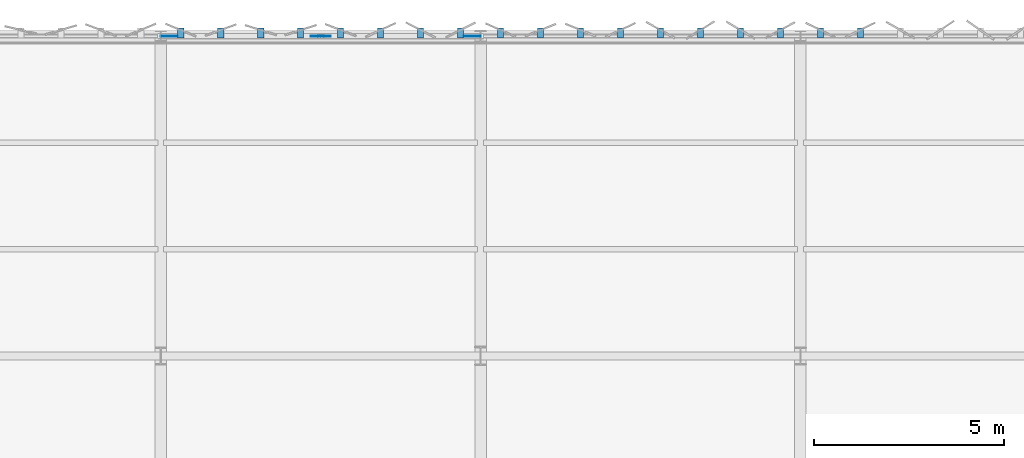
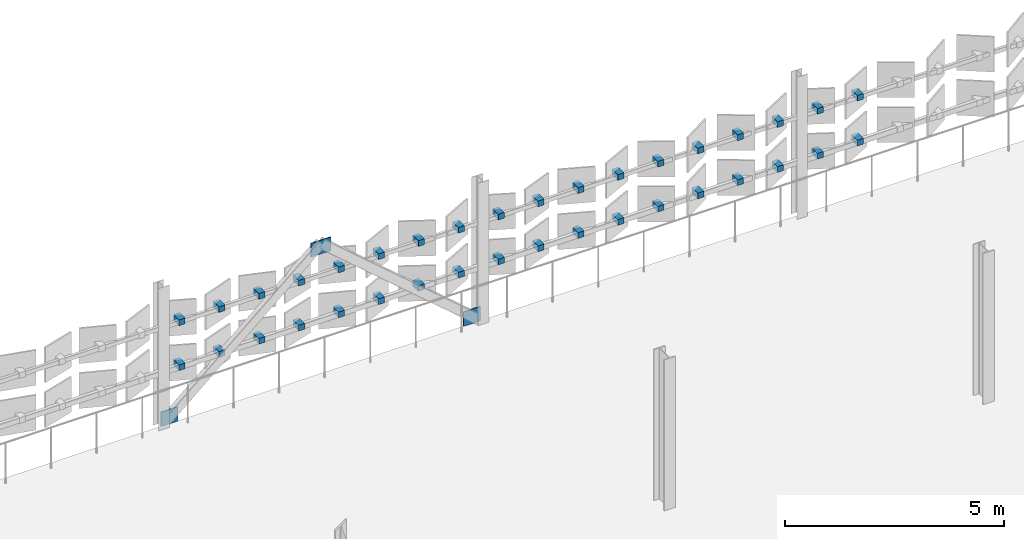
# One storey, part 60 of 69: 39 discrete accessories.
"""IFC4 building model written with IfcOpenShell, lengths in metres."""

from ifc_helpers import new_model, si_unit, direction, frame, origin, origin_2d, place, context, subcontext, project, spatial, rectangle, extrude, material, type_object, element, save


model = new_model("IFC4")

# Units and contexts
model_context = context("Model", 3, precision=1e-05, world=origin(), true_north=direction((0.0, 1.0)))
body_context = subcontext(model_context, "Body", "Model", "MODEL_VIEW")
ifc_project = project(units=[si_unit("LENGTHUNIT", "METRE"), si_unit("AREAUNIT", "SQUARE_METRE"), si_unit("VOLUMEUNIT", "CUBIC_METRE"), si_unit("PLANEANGLEUNIT", "RADIAN"), si_unit("MASSUNIT", "GRAM", prefix="KILO")], contexts=[model_context])

# Site, building, storey
site_placement = place(None, origin())
site = spatial("IfcSite", under=ifc_project, at=site_placement, CompositionType="ELEMENT")
building_placement = place(site_placement, origin())
building = spatial("IfcBuilding", under=site, at=building_placement, Name="Qalvenar Corner Mobility Hub", CompositionType="ELEMENT")
storey_placement = place(building_placement, frame((0.0, 0.0, 13.199951171875)))
storey = spatial("IfcBuildingStorey", under=building, at=storey_placement, Name="L03", CompositionType="ELEMENT", Elevation=13.199951171875)

# Discrete accessories
ifc_material = material(Name="Steel S355", Category="steel")
discrete_accessory_type_1 = type_object("IfcDiscreteAccessoryType", Name="ACC-GUSSET-PLT", PredefinedType="BRACKET", material=ifc_material)
discrete_accessory_placement = place(storey_placement, frame((113.39990234375, 117.60009765625, 3.330078125), z_axis=(0.0, 0.0, 1.0), x_axis=(1.0, 0.0, 0.0)))
element("IfcDiscreteAccessory", 1, at=discrete_accessory_placement, inside=storey, type_object=discrete_accessory_type_1, Name="Chevron Apex Gusset Plate GP-A-052", PredefinedType="BRACKET", context=body_context, shape_type="SweptSolid", body=[
    extrude(rectangle(XDim=0.52001953125, YDim=0.02490234375, at=origin_2d()), origin(), (0.0, 0.0, 1.0), 0.3798828125),
])
for number, where, z_axis, x_axis, name in (
    (2, (109.419921875, 117.60009765625, 0.0), (0.0, 0.0, 1.0), (1.0, 0.0, 0.0), "Brace Base Gusset Plate GP-B-053"),
    (3, (117.3798828125, 117.60009765625, 0.0), (0.0, 0.0, 1.0), (1.0, 0.0, 0.0), "Brace Base Gusset Plate GP-B-054"),
):
    element("IfcDiscreteAccessory", number, at=place(storey_placement, frame(where, z_axis=z_axis, x_axis=x_axis)), inside=storey, type_object=discrete_accessory_type_1, Name=name, PredefinedType="BRACKET", context=body_context, shape_type="SweptSolid", body=[
        extrude(rectangle(XDim=0.449951171875, YDim=0.02490234375, at=origin_2d()), origin(), (0.0, 0.0, 1.0), 0.39990234375),
    ])
discrete_accessory_type_2 = type_object("IfcDiscreteAccessoryType", Name="ACC-HINGE-BRK", PredefinedType="BRACKET", material=ifc_material)
for number, where, z_axis, x_axis, name in (
    (4, (127.574951171875, 117.679931640625, 1.419921875), (0.0, 0.0, 1.0), (-1.0, 0.0, 0.0), "Panel Hinge Bracket BK-L03-0861"),
    (5, (127.574951171875, 117.679931640625, 2.669921875), (0.0, 0.0, 1.0), (-1.0, 0.0, 0.0), "Panel Hinge Bracket BK-L03-0862"),
    (6, (126.52490234375, 117.679931640625, 1.419921875), (0.0, 0.0, 1.0), (-1.0, 0.0, 0.0), "Panel Hinge Bracket BK-L03-0863"),
    (7, (126.52490234375, 117.679931640625, 2.669921875), (0.0, 0.0, 1.0), (-1.0, 0.0, 0.0), "Panel Hinge Bracket BK-L03-0864"),
    (8, (125.47509765625, 117.679931640625, 1.419921875), (0.0, 0.0, 1.0), (-1.0, 0.0, 0.0), "Panel Hinge Bracket BK-L03-0865"),
    (9, (125.47509765625, 117.679931640625, 2.669921875), (0.0, 0.0, 1.0), (-1.0, 0.0, 0.0), "Panel Hinge Bracket BK-L03-0866"),
    (10, (124.425048828125, 117.679931640625, 1.419921875), (0.0, 0.0, 1.0), (-1.0, 0.0, 0.0), "Panel Hinge Bracket BK-L03-0867"),
    (11, (124.425048828125, 117.679931640625, 2.669921875), (0.0, 0.0, 1.0), (-1.0, 0.0, 0.0), "Panel Hinge Bracket BK-L03-0868"),
    (12, (123.375, 117.679931640625, 1.419921875), (0.0, 0.0, 1.0), (-1.0, 0.0, 0.0), "Panel Hinge Bracket BK-L03-0869"),
    (13, (123.375, 117.679931640625, 2.669921875), (0.0, 0.0, 1.0), (-1.0, 0.0, 0.0), "Panel Hinge Bracket BK-L03-0870"),
    (14, (122.324951171875, 117.679931640625, 1.419921875), (0.0, 0.0, 1.0), (-1.0, 0.0, 0.0), "Panel Hinge Bracket BK-L03-0871"),
    (15, (122.324951171875, 117.679931640625, 2.669921875), (0.0, 0.0, 1.0), (-1.0, 0.0, 0.0), "Panel Hinge Bracket BK-L03-0872"),
    (16, (121.27490234375, 117.679931640625, 1.419921875), (0.0, 0.0, 1.0), (-1.0, 0.0, 0.0), "Panel Hinge Bracket BK-L03-0873"),
    (17, (121.27490234375, 117.679931640625, 2.669921875), (0.0, 0.0, 1.0), (-1.0, 0.0, 0.0), "Panel Hinge Bracket BK-L03-0874"),
    (18, (120.22509765625, 117.679931640625, 1.419921875), (0.0, 0.0, 1.0), (-1.0, 0.0, 0.0), "Panel Hinge Bracket BK-L03-0875"),
    (19, (120.22509765625, 117.679931640625, 2.669921875), (0.0, 0.0, 1.0), (-1.0, 0.0, 0.0), "Panel Hinge Bracket BK-L03-0876"),
    (20, (119.175048828125, 117.679931640625, 1.419921875), (0.0, 0.0, 1.0), (-1.0, 0.0, 0.0), "Panel Hinge Bracket BK-L03-0877"),
    (21, (119.175048828125, 117.679931640625, 2.669921875), (0.0, 0.0, 1.0), (-1.0, 0.0, 0.0), "Panel Hinge Bracket BK-L03-0878"),
    (22, (118.125, 117.679931640625, 1.419921875), (0.0, 0.0, 1.0), (-1.0, 0.0, 0.0), "Panel Hinge Bracket BK-L03-0879"),
    (23, (118.125, 117.679931640625, 2.669921875), (0.0, 0.0, 1.0), (-1.0, 0.0, 0.0), "Panel Hinge Bracket BK-L03-0880"),
    (24, (117.074951171875, 117.679931640625, 1.419921875), (0.0, 0.0, 1.0), (-1.0, 0.0, 0.0), "Panel Hinge Bracket BK-L03-0881"),
    (25, (117.074951171875, 117.679931640625, 2.669921875), (0.0, 0.0, 1.0), (-1.0, 0.0, 0.0), "Panel Hinge Bracket BK-L03-0882"),
    (26, (116.02490234375, 117.679931640625, 1.419921875), (0.0, 0.0, 1.0), (-1.0, 0.0, 0.0), "Panel Hinge Bracket BK-L03-0883"),
    (27, (116.02490234375, 117.679931640625, 2.669921875), (0.0, 0.0, 1.0), (-1.0, 0.0, 0.0), "Panel Hinge Bracket BK-L03-0884"),
    (28, (114.97509765625, 117.679931640625, 1.419921875), (0.0, 0.0, 1.0), (-1.0, 0.0, 0.0), "Panel Hinge Bracket BK-L03-0885"),
    (29, (114.97509765625, 117.679931640625, 2.669921875), (0.0, 0.0, 1.0), (-1.0, 0.0, 0.0), "Panel Hinge Bracket BK-L03-0886"),
    (30, (113.925048828125, 117.679931640625, 1.419921875), (0.0, 0.0, 1.0), (-1.0, 0.0, 0.0), "Panel Hinge Bracket BK-L03-0887"),
    (31, (113.925048828125, 117.679931640625, 2.669921875), (0.0, 0.0, 1.0), (-1.0, 0.0, 0.0), "Panel Hinge Bracket BK-L03-0888"),
    (32, (112.875, 117.679931640625, 1.419921875), (0.0, 0.0, 1.0), (-1.0, 0.0, 0.0), "Panel Hinge Bracket BK-L03-0889"),
    (33, (112.875, 117.679931640625, 2.669921875), (0.0, 0.0, 1.0), (-1.0, 0.0, 0.0), "Panel Hinge Bracket BK-L03-0890"),
    (34, (111.824951171875, 117.679931640625, 1.419921875), (0.0, 0.0, 1.0), (-1.0, 0.0, 0.0), "Panel Hinge Bracket BK-L03-0891"),
    (35, (111.824951171875, 117.679931640625, 2.669921875), (0.0, 0.0, 1.0), (-1.0, 0.0, 0.0), "Panel Hinge Bracket BK-L03-0892"),
    (36, (110.77490234375, 117.679931640625, 1.419921875), (0.0, 0.0, 1.0), (-1.0, 0.0, 0.0), "Panel Hinge Bracket BK-L03-0893"),
    (37, (110.77490234375, 117.679931640625, 2.669921875), (0.0, 0.0, 1.0), (-1.0, 0.0, 0.0), "Panel Hinge Bracket BK-L03-0894"),
    (38, (109.72509765625, 117.679931640625, 1.419921875), (0.0, 0.0, 1.0), (-1.0, 0.0, 0.0), "Panel Hinge Bracket BK-L03-0895"),
    (39, (109.72509765625, 117.679931640625, 2.669921875), (0.0, 0.0, 1.0), (-1.0, 0.0, 0.0), "Panel Hinge Bracket BK-L03-0896"),
):
    element("IfcDiscreteAccessory", number, at=place(storey_placement, frame(where, z_axis=z_axis, x_axis=x_axis)), inside=storey, type_object=discrete_accessory_type_2, Name=name, PredefinedType="BRACKET", context=body_context, shape_type="SweptSolid", body=[
        extrude(rectangle(XDim=0.159912109375, YDim=0.260009765625, at=origin_2d()), origin(), (0.0, 0.0, 1.0), 0.159912109375),
    ])

save(model, "model.ifc")
